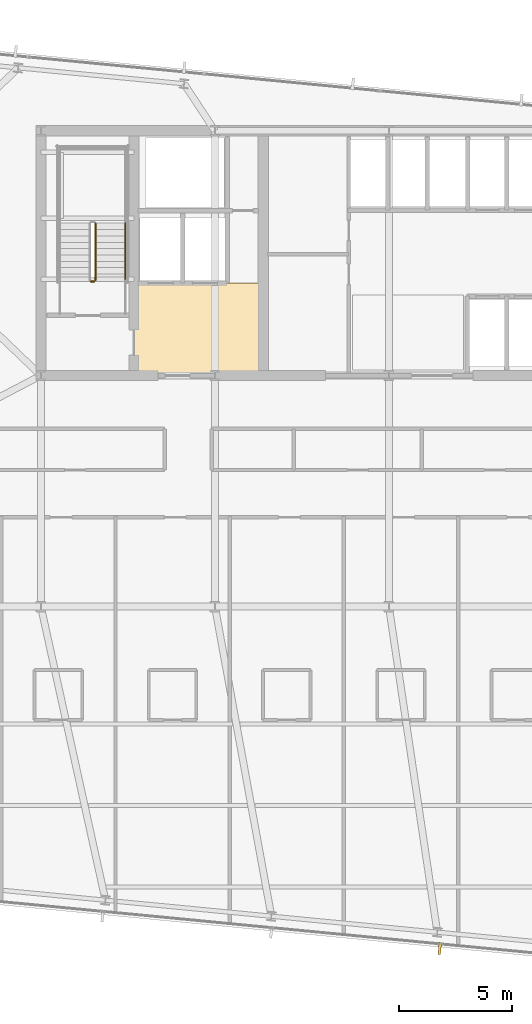
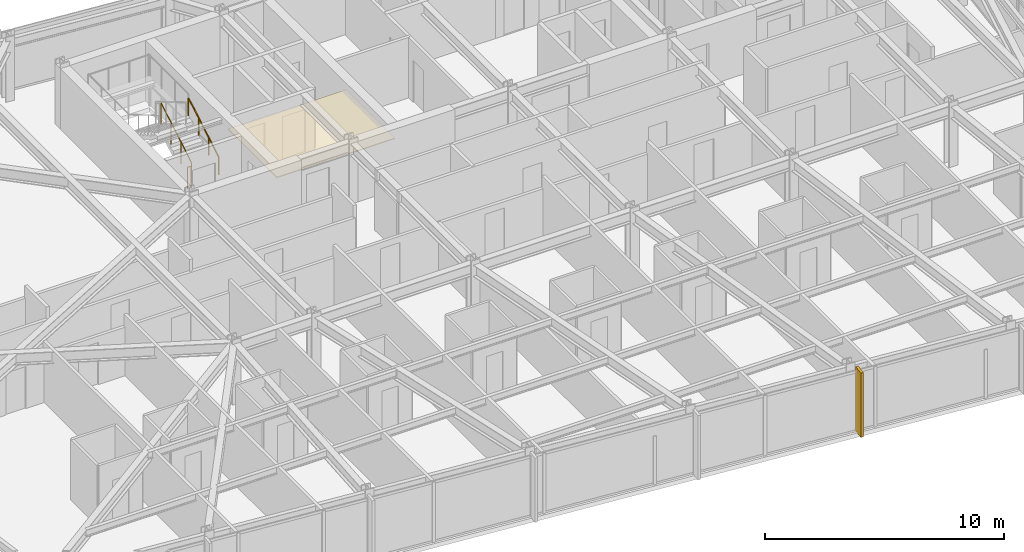
# One storey, part 34 of 38: 3 railings, 1 covering, 1 shading device.
"""IFC4 building model written with IfcOpenShell, lengths in metres."""

from ifc_helpers import new_model, si_unit, direction, frame, origin, origin_2d, place, context, subcontext, project, spatial, polyline, rectangle, circle, outline, extrude, material, layer, layer_set, type_object, element, save


model = new_model("IFC4")

# Units and contexts
model_context = context("Model", 3, precision=1e-05, world=origin(), true_north=direction((0.0, 1.0)))
body_context = subcontext(model_context, "Body", "Model", "MODEL_VIEW")
ifc_project = project(units=[si_unit("LENGTHUNIT", "METRE"), si_unit("AREAUNIT", "SQUARE_METRE"), si_unit("VOLUMEUNIT", "CUBIC_METRE"), si_unit("PLANEANGLEUNIT", "RADIAN"), si_unit("MASSUNIT", "GRAM", prefix="KILO")], contexts=[model_context])

# Site, building, storey
site_placement = place(None, origin())
site = spatial("IfcSite", under=ifc_project, at=site_placement, CompositionType="ELEMENT")
building_placement = place(site_placement, origin())
building = spatial("IfcBuilding", under=site, at=building_placement, Name="Yelkora Congress Tower", CompositionType="ELEMENT")
storey_placement = place(building_placement, frame((0.0, 0.0, 178.699951171875)))
storey = spatial("IfcBuildingStorey", under=building, at=storey_placement, Name="L49", CompositionType="ELEMENT", Elevation=178.699951171875)

# Covering
ifc_material_1 = material(Name="Perforated mineral-fibre acoustic ceiling", Category="gypsum")
ifc_layer_1 = layer(ifc_material_1, 0.0400390625)
ifc_layer_set_1 = layer_set([ifc_layer_1], Name="Perforated mineral-fibre acoustic ceiling")
covering_type = type_object("IfcCoveringType", Name="COV-CEIL-ACOUSTIC-40", PredefinedType="CEILING", material=ifc_layer_set_1)
covering_placement = place(storey_placement, frame((0.0, 0.0, 2.400146484375)))
element("IfcCovering", 1, at=covering_placement, inside=storey, type_object=covering_type, Name="L49 Firefighting Lobby Acoustic Ceiling", PredefinedType="CEILING", context=body_context, shape_type="SweptSolid", body=[
    extrude(outline(polyline([(27.14990234375, 35.39990234375), (32.85009765625, 35.39990234375), (32.85009765625, 39.47998046875), (27.14990234375, 39.47998046875), (27.14990234375, 35.39990234375)])), origin(), (0.0, 0.0, 1.0), 0.039794921875),
])

# Railings
ifc_material_2 = material(Name="Painted galvanised steel stair well guard with vertical infill", Category="steel")
ifc_layer_2 = layer(ifc_material_2, 0.06005859375)
ifc_layer_set_2 = layer_set([ifc_layer_2], Name="Painted galvanised steel stair well guard with vertical infill")
railing_type_1 = type_object("IfcRailingType", Name="RAIL-STAIR-GUARD-1120", PredefinedType="GUARDRAIL", material=ifc_layer_set_2)
railing_1_placement = place(storey_placement, frame((25.449951171875, 39.60009765625, 0.1650390625)))
element("IfcRailing", 2, at=railing_1_placement, inside=storey, type_object=railing_type_1, Name="ST-01 L49 Stair Well Guardrail 1", PredefinedType="GUARDRAIL", context=body_context, shape_type="SweptSolid", body=[
    extrude(circle(Radius=0.02392578125, at=origin_2d()), frame((0.0, 0.0, 1.09619140625), z_axis=(0.0, 0.86152411907, 0.507716645641), x_axis=(-1.0, 0.0, 0.0)), (0.0, 0.0, 1.0), 2.925048828125),
    extrude(circle(Radius=0.02099609375, at=origin_2d()), origin(), (0.0, 0.0, 1.0), 1.072021484375),
    extrude(circle(Radius=0.02099609375, at=origin_2d()), frame((0.0, 0.840087890625, 0.4951171875)), (0.0, 0.0, 1.0), 1.072021484375),
    extrude(circle(Radius=0.02099609375, at=origin_2d()), frame((0.0, 1.679931640625, 0.989990234375)), (0.0, 0.0, 1.0), 1.072021484375),
    extrude(circle(Radius=0.02099609375, at=origin_2d()), frame((0.0, 2.52001953125, 1.485107421875)), (0.0, 0.0, 1.0), 1.072021484375),
])
railing_2_placement = place(storey_placement, frame((25.39990234375, 39.550048828125, 0.0)))
element("IfcRailing", 3, at=railing_2_placement, inside=storey, type_object=railing_type_1, Name="ST-01 L49 Stair Well Guardrail 7", PredefinedType="GUARDRAIL", context=body_context, shape_type="SweptSolid", body=[
    extrude(circle(Radius=0.02392578125, at=origin_2d()), frame((0.0, 0.0, 1.09619140625), z_axis=(-1.0, 0.0, 0.0), x_axis=(0.0, -1.0, 0.0)), (0.0, 0.0, 1.0), 0.159912109375),
    extrude(circle(Radius=0.02099609375, at=origin_2d()), origin(), (0.0, 0.0, 1.0), 1.072021484375),
    extrude(circle(Radius=0.02099609375, at=origin_2d()), frame((-0.159912109375, 0.0, 0.0)), (0.0, 0.0, 1.0), 1.072021484375),
])
ifc_material_3 = material(Name="Brushed stainless steel tubular handrail", Category="steel")
ifc_layer_3 = layer(ifc_material_3, 0.050048828125)
ifc_layer_set_3 = layer_set([ifc_layer_3], Name="Brushed stainless steel tubular handrail")
railing_type_2 = type_object("IfcRailingType", Name="RAIL-STAIR-HAND-920", PredefinedType="HANDRAIL", material=ifc_layer_set_3)
railing_3_placement = place(storey_placement, frame((26.77001953125, 39.60009765625, 0.1650390625)))
element("IfcRailing", 4, at=railing_3_placement, inside=storey, type_object=railing_type_2, Name="ST-01 L49 Pitch Handrail 1", PredefinedType="HANDRAIL", context=body_context, shape_type="SweptSolid", body=[
    extrude(circle(Radius=0.02392578125, at=origin_2d()), frame((0.0, 0.0, 0.89599609375), z_axis=(0.0, 0.86152411907, 0.507716645641), x_axis=(-1.0, 0.0, 0.0)), (0.0, 0.0, 1.0), 2.925048828125),
    extrude(circle(Radius=0.02099609375, at=origin_2d()), origin(), (0.0, 0.0, 1.0), 0.871826171875),
    extrude(circle(Radius=0.02099609375, at=origin_2d()), frame((0.0, 0.840087890625, 0.4951171875)), (0.0, 0.0, 1.0), 0.871826171875),
    extrude(circle(Radius=0.02099609375, at=origin_2d()), frame((0.0, 1.679931640625, 0.989990234375)), (0.0, 0.0, 1.0), 0.871826171875),
    extrude(circle(Radius=0.02099609375, at=origin_2d()), frame((0.0, 2.52001953125, 1.485107421875)), (0.0, 0.0, 1.0), 0.871826171875),
])

# Shading device
ifc_material_4 = material(Name="Champagne anodised aluminium", Category="aluminium")
ifc_layer_4 = layer(ifc_material_4, 3.300048828125)
ifc_layer_set_4 = layer_set([ifc_layer_4], Name="Champagne anodised aluminium")
shading_device_type = type_object("IfcShadingDeviceType", Name="SHD-FIN-ALU-520", PredefinedType="USERDEFINED", material=ifc_layer_set_4)
shading_device_placement = place(storey_placement, frame((40.642333984375, 10.10791015625, -0.02978515625), z_axis=(0.0, 0.0, 1.0), x_axis=(-0.995396198367, 0.09584575252, 0.0)))
element("IfcShadingDevice", 5, at=shading_device_placement, inside=storey, type_object=shading_device_type, Name="L49 Vertical Anodised Solar Fin 20-2", ObjectType="FIN", PredefinedType="USERDEFINED", context=body_context, shape_type="SweptSolid", body=[
    extrude(rectangle(XDim=0.1201171875, YDim=0.52001953125, at=origin_2d()), origin(), (0.0, 0.0, 1.0), 3.280029296875),
])

save(model, "model.ifc")
